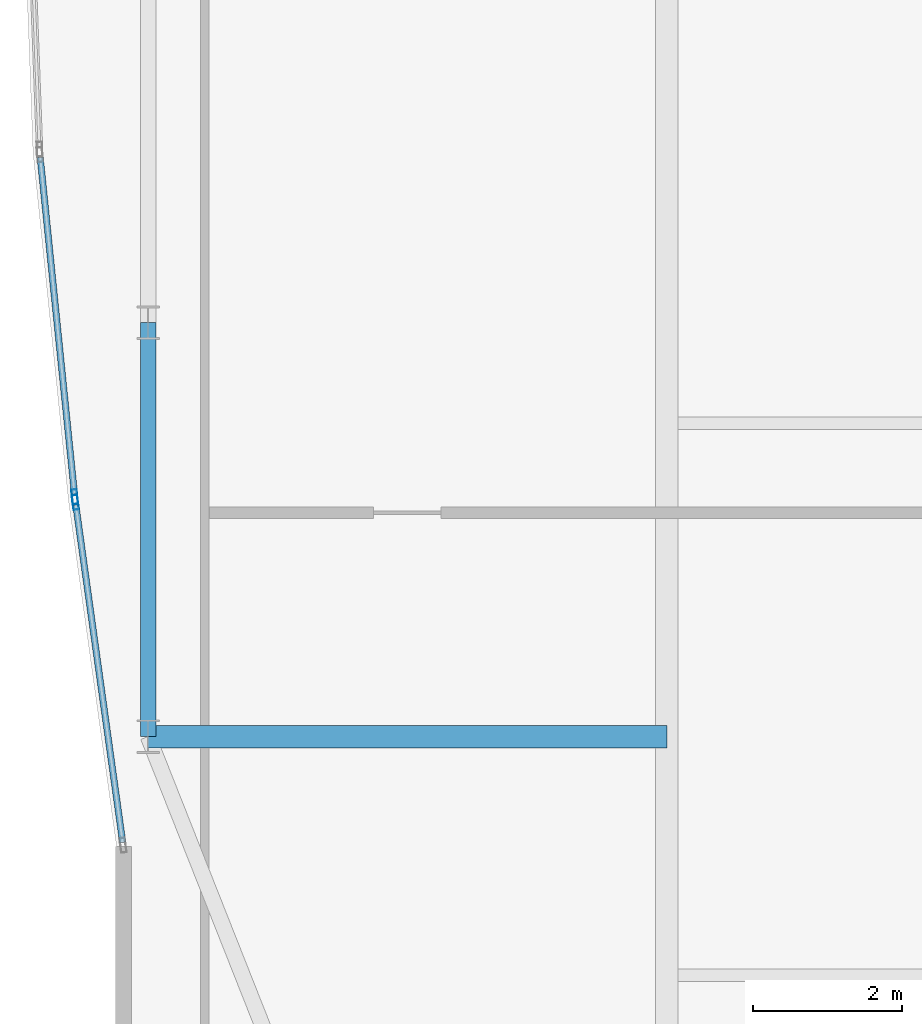
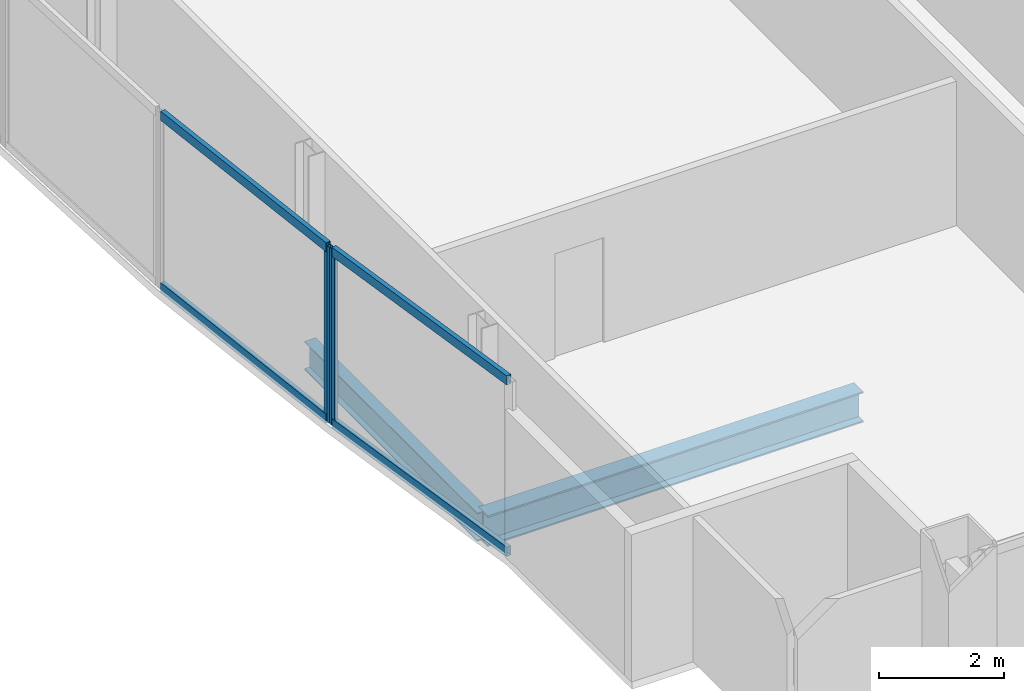
# One storey, part 5 of 26: 6 members, 2 beams, 2 elements without a shape of their own.
"""IFC4 building model written with IfcOpenShell, lengths in metres."""

from ifc_helpers import new_model, si_unit, direction, frame, origin, origin_2d, place, context, subcontext, project, spatial, hollow_rectangle, i_section, extrude, material, material_profile, profile_set, type_object, element, aggregate, save


model = new_model("IFC4")

# Units and contexts
model_context = context("Model", 3, precision=1e-05, world=origin(), true_north=direction((0.0, 1.0)))
body_context = subcontext(model_context, "Body", "Model", "MODEL_VIEW")
ifc_project = project(units=[si_unit("LENGTHUNIT", "METRE"), si_unit("AREAUNIT", "SQUARE_METRE"), si_unit("VOLUMEUNIT", "CUBIC_METRE"), si_unit("PLANEANGLEUNIT", "RADIAN"), si_unit("MASSUNIT", "GRAM", prefix="KILO")], contexts=[model_context])

# Site, building, storey
site_placement = place(None, origin())
site = spatial("IfcSite", under=ifc_project, at=site_placement, CompositionType="ELEMENT")
building_placement = place(site_placement, origin())
building = spatial("IfcBuilding", under=site, at=building_placement, Name="Khoronbel Lancet Exchange", CompositionType="ELEMENT")
storey_placement = place(building_placement, frame((0.0, 0.0, 339.800048828125)))
storey = spatial("IfcBuildingStorey", under=building, at=storey_placement, Name="L88", CompositionType="ELEMENT", Elevation=339.800048828125)

# Beams
ifc_material_1 = material(Name="Steel S355", Category="steel")
ifc_material_profile_1 = material_profile(ifc_material_1, i_section(OverallWidth=0.300048828125, OverallDepth=0.60009765625, WebThickness=0.015380859375, FlangeThickness=0.030029296875, at=origin_2d()), Name="HEB 600")
ifc_profile_set_1 = profile_set([ifc_material_profile_1], Name="Steel S355")
beam_type_1 = type_object("IfcBeamType", Name="BM-BG5", PredefinedType="BEAM", material=ifc_profile_set_1)
beam_1_placement = place(storey_placement, frame((11.27001953125, 19.199951171875, -0.4599609375), z_axis=(1.0, 0.0, 0.0), x_axis=(0.0, 1.0, 0.0)))
element("IfcBeam", 1, at=beam_1_placement, inside=storey, type_object=beam_type_1, Name="Level L88 west lens tie girder LG1W", PredefinedType="BEAM", context=body_context, shape_type="SweptSolid", body=[
    extrude(i_section(OverallWidth=0.300048828125, OverallDepth=0.60009765625, WebThickness=0.015380859375, FlangeThickness=0.030029296875, at=origin_2d()), origin(), (0.0, 0.0, 1.0), 6.955078125),
])
ifc_material_profile_2 = material_profile(ifc_material_1, i_section(OverallWidth=0.2099609375, OverallDepth=0.550048828125, WebThickness=0.010986328125, FlangeThickness=0.01708984375, at=origin_2d()), Name="IPE 550")
ifc_profile_set_2 = profile_set([ifc_material_profile_2], Name="Steel S355")
beam_type_2 = type_object("IfcBeamType", Name="BM-BSP3", PredefinedType="SPANDREL", material=ifc_profile_set_2)
beam_2_placement = place(storey_placement, frame((11.27001953125, 24.75, -0.43505859375), z_axis=(0.0, -1.0, 0.0), x_axis=(1.0, 0.0, 0.0)))
element("IfcBeam", 2, at=beam_2_placement, inside=storey, type_object=beam_type_2, Name="Level L88 perimeter spandrel beam SP18", PredefinedType="SPANDREL", context=body_context, shape_type="SweptSolid", body=[
    extrude(i_section(OverallWidth=0.2099609375, OverallDepth=0.550048828125, WebThickness=0.010986328125, FlangeThickness=0.01708984375, at=origin_2d()), origin(), (0.0, 0.0, 1.0), 5.550048828125),
])

# Curtain wall, member
ifc_material_2 = material(Name="Low-E Solar Control Insulating Glass", Category="glass")
curtain_wall_type = type_object("IfcCurtainWallType", Name="CW-4", PredefinedType="NOTDEFINED", material=ifc_material_2)
curtain_wall_1_placement = place(storey_placement, origin())
curtain_wall_1 = element("IfcCurtainWall", 3, at=curtain_wall_1_placement, inside=storey, type_object=curtain_wall_type, Name="Unitised curtain wall CW-L88-E04", PredefinedType="NOTDEFINED")
ifc_material_3 = material(Name="Bronze-Anodised Aluminium 6063-T6", Category="aluminium")
ifc_material_profile_3 = material_profile(ifc_material_3, hollow_rectangle(XDim=0.074951171875, YDim=0.199951171875, WallThickness=0.0048828125, at=origin_2d()), Name="ALU MULLION 75x200")
ifc_profile_set_3 = profile_set([ifc_material_profile_3], Name="Bronze-Anodised Aluminium 6063-T6")
member_type_1 = type_object("IfcMemberType", Name="MEM-CWM2", PredefinedType="MULLION", material=ifc_profile_set_3)
member_1_placement = place(storey_placement, frame((10.295654296875, 22.34033203125, 0.0), z_axis=(0.0, 0.0, 1.0), x_axis=(-0.990474689219, -0.137694916451, 0.0)))
member_1 = element("IfcMember", 4, at=member_1_placement, type_object=member_type_1, Name="CW4 mullion 2", PredefinedType="MULLION", context=body_context, shape_type="SweptSolid", body=[
    extrude(hollow_rectangle(XDim=0.074951171875, YDim=0.199951171875, WallThickness=0.0048828125, at=origin_2d()), origin(), (0.0, 0.0, 1.0), 3.43994140625),
])

curtain_wall_2_placement = place(storey_placement, origin())
curtain_wall_2 = element("IfcCurtainWall", 5, at=curtain_wall_2_placement, inside=storey, type_object=curtain_wall_type, Name="Unitised curtain wall CW-L88-E05", PredefinedType="NOTDEFINED")
member_2_placement = place(storey_placement, frame((10.286865234375, 22.414794921875, 0.0), z_axis=(0.0, 0.0, 1.0), x_axis=(-0.994858128487, -0.101278350024, 0.0)))
member_2 = element("IfcMember", 6, at=member_2_placement, type_object=member_type_1, Name="CW4 mullion 1", PredefinedType="MULLION", context=body_context, shape_type="SweptSolid", body=[
    extrude(hollow_rectangle(XDim=0.074951171875, YDim=0.199951171875, WallThickness=0.0048828125, at=origin_2d()), origin(), (0.0, 0.0, 1.0), 3.43994140625),
])

# Member
ifc_material_profile_4 = material_profile(ifc_material_3, hollow_rectangle(XDim=0.0849609375, YDim=0.179931640625, WallThickness=0.0048828125, at=origin_2d()), Name="ALU TRANSOM 85x180")
ifc_profile_set_4 = profile_set([ifc_material_profile_4], Name="Bronze-Anodised Aluminium 6063-T6")
member_type_2 = type_object("IfcMemberType", Name="MEM-CWT1", PredefinedType="USERDEFINED", material=ifc_profile_set_4)
member_3_placement = place(storey_placement, frame((10.9296875, 17.780517578125, 0.04248046875), z_axis=(-0.137677652067, 0.990477089145, 0.0), x_axis=(-0.990477089145, -0.137677652067, 0.0)))
member_3 = element("IfcMember", 7, at=member_3_placement, type_object=member_type_2, Name="CW4 transom 1.1", ObjectType="TRANSOM", PredefinedType="USERDEFINED", context=body_context, shape_type="SweptSolid", body=[
    extrude(hollow_rectangle(XDim=0.0849609375, YDim=0.179931640625, WallThickness=0.0048828125, at=origin_2d()), origin(), (0.0, 0.0, 1.0), 4.566162109375),
])

member_4_placement = place(storey_placement, frame((10.9296875, 17.780517578125, 3.3974609375), z_axis=(-0.137677652067, 0.990477089145, 0.0), x_axis=(-0.990477089145, -0.137677652067, 0.0)))
member_4 = element("IfcMember", 8, at=member_4_placement, type_object=member_type_2, Name="CW4 transom 1.2", ObjectType="TRANSOM", PredefinedType="USERDEFINED", context=body_context, shape_type="SweptSolid", body=[
    extrude(hollow_rectangle(XDim=0.0849609375, YDim=0.179931640625, WallThickness=0.0048828125, at=origin_2d()), origin(), (0.0, 0.0, 1.0), 4.566162109375),
])

aggregate(curtain_wall_1, [member_1, member_3, member_4])

member_5_placement = place(storey_placement, frame((10.282958984375, 22.4521484375, 0.04248046875), z_axis=(-0.101294091198, 0.994856525881, 0.0), x_axis=(-0.994856525881, -0.101294091198, 0.0)))
member_5 = element("IfcMember", 9, at=member_5_placement, type_object=member_type_2, Name="CW4 transom 1.1", ObjectType="TRANSOM", PredefinedType="USERDEFINED", context=body_context, shape_type="SweptSolid", body=[
    extrude(hollow_rectangle(XDim=0.0849609375, YDim=0.179931640625, WallThickness=0.0048828125, at=origin_2d()), origin(), (0.0, 0.0, 1.0), 4.5361328125),
])

member_6_placement = place(storey_placement, frame((10.282958984375, 22.4521484375, 3.3974609375), z_axis=(-0.101294091198, 0.994856525881, 0.0), x_axis=(-0.994856525881, -0.101294091198, 0.0)))
member_6 = element("IfcMember", 10, at=member_6_placement, type_object=member_type_2, Name="CW4 transom 1.2", ObjectType="TRANSOM", PredefinedType="USERDEFINED", context=body_context, shape_type="SweptSolid", body=[
    extrude(hollow_rectangle(XDim=0.0849609375, YDim=0.179931640625, WallThickness=0.0048828125, at=origin_2d()), origin(), (0.0, 0.0, 1.0), 4.5361328125),
])

aggregate(curtain_wall_2, [member_2, member_5, member_6])

save(model, "model.ifc")
